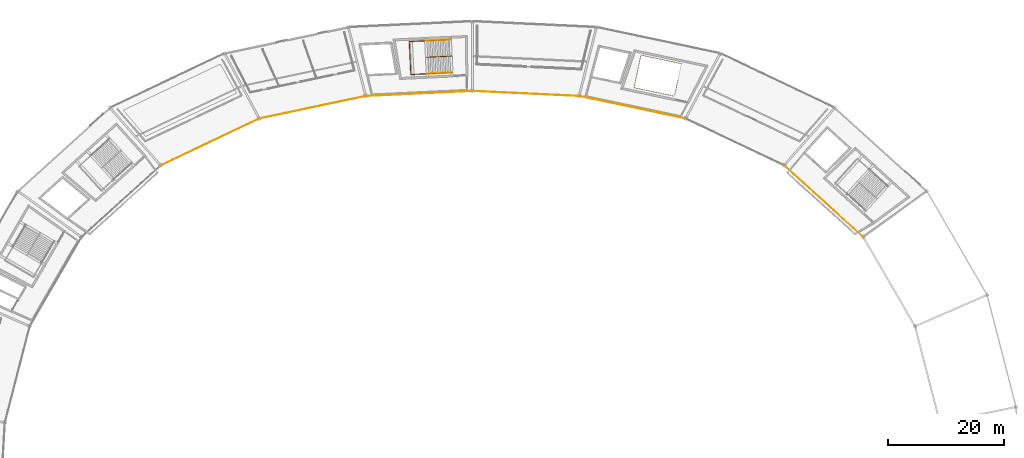
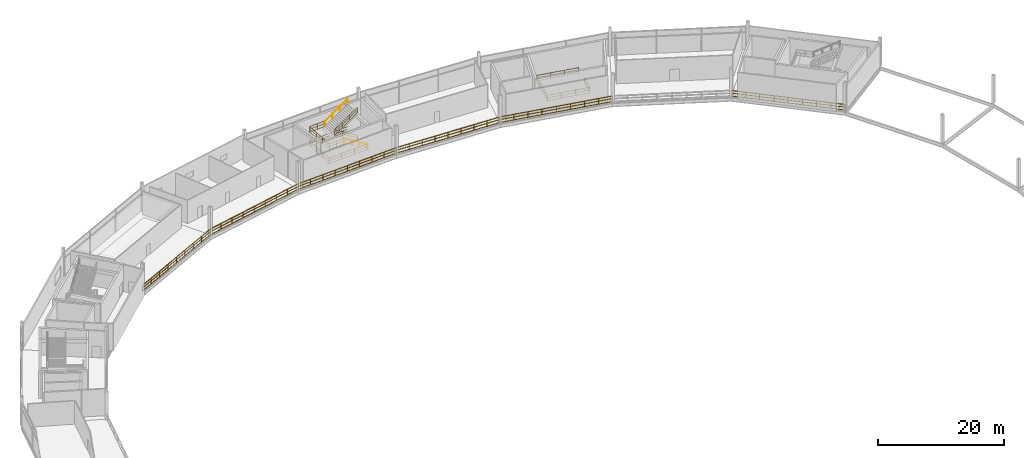
# One storey, part 102 of 103: 12 railings.
"""IFC4 building model written with IfcOpenShell, lengths in metres."""

from ifc_helpers import new_model, si_unit, direction, frame, origin, origin_2d, place, context, subcontext, project, spatial, rectangle, extrude, material, type_object, element, save


model = new_model("IFC4")

# Units and contexts
model_context = context("Model", 3, precision=1e-05, world=origin(), true_north=direction((0.0, 1.0)))
body_context = subcontext(model_context, "Body", "Model", "MODEL_VIEW")
ifc_project = project(units=[si_unit("LENGTHUNIT", "METRE"), si_unit("AREAUNIT", "SQUARE_METRE"), si_unit("VOLUMEUNIT", "CUBIC_METRE"), si_unit("PLANEANGLEUNIT", "RADIAN"), si_unit("MASSUNIT", "GRAM", prefix="KILO")], contexts=[model_context])

# Site, building, storey
site_placement = place(None, origin())
site = spatial("IfcSite", under=ifc_project, at=site_placement, CompositionType="ELEMENT")
building_placement = place(site_placement, origin())
building = spatial("IfcBuilding", under=site, at=building_placement, Name="Kazemori Nagisa Stadium", CompositionType="ELEMENT")
storey_placement = place(building_placement, frame((0.0, 0.0, 25.840087890625)))
storey = spatial("IfcBuildingStorey", under=building, at=storey_placement, Name="L05", CompositionType="ELEMENT", Elevation=25.840087890625)

# Railings
ifc_material_1 = material(Name="Laminated safety glass and stainless steel SUS304", Category="steel")
railing_type_1 = type_object("IfcRailingType", Name="Rail_BAL", PredefinedType="BALUSTRADE", material=ifc_material_1)
railing_1_placement = place(storey_placement, frame((190.506103515625, 150.734130859375, 0.0)))
element("IfcRailing", 1, at=railing_1_placement, inside=storey, type_object=railing_type_1, Name="Upper concourse balustrade L05-B04", PredefinedType="BALUSTRADE", context=body_context, shape_type="SweptSolid", body=[
    extrude(rectangle(XDim=0.050048828125, YDim=0.050048828125, at=origin_2d()), frame((0.0, 0.0, 1.09521484375), z_axis=(-0.741349142139, 0.671119549298, 0.0), x_axis=(-0.671119549298, -0.741349142139, 0.0)), (0.0, 0.0, 1.0), 18.44189453125),
    extrude(rectangle(XDim=0.03759765625, YDim=0.03759765625, at=origin_2d()), frame((0.0, 0.0, 0.58251953125), z_axis=(-0.741349142139, 0.671119549298, 0.0), x_axis=(-0.671119549298, -0.741349142139, 0.0)), (0.0, 0.0, 1.0), 18.44189453125),
    extrude(rectangle(XDim=0.03759765625, YDim=0.03759765625, at=origin_2d()), frame((0.0, 0.0, 0.02490234375), z_axis=(-0.741349142139, 0.671119549298, 0.0), x_axis=(-0.671119549298, -0.741349142139, 0.0)), (0.0, 0.0, 1.0), 18.44189453125),
    extrude(rectangle(XDim=0.044921875, YDim=0.044921875, at=origin_2d()), origin(), (0.0, 0.0, 1.0), 1.070068359375),
    extrude(rectangle(XDim=0.044921875, YDim=0.044921875, at=origin_2d()), frame((-1.708984375, 1.547119140625, 0.0)), (0.0, 0.0, 1.0), 1.070068359375),
    extrude(rectangle(XDim=0.044921875, YDim=0.044921875, at=origin_2d()), frame((-3.41796875, 3.09423828125, 0.0)), (0.0, 0.0, 1.0), 1.070068359375),
    extrude(rectangle(XDim=0.044921875, YDim=0.044921875, at=origin_2d()), frame((-5.126953125, 4.641357421875, 0.0)), (0.0, 0.0, 1.0), 1.070068359375),
    extrude(rectangle(XDim=0.044921875, YDim=0.044921875, at=origin_2d()), frame((-6.8359375, 6.1884765625, 0.0)), (0.0, 0.0, 1.0), 1.070068359375),
    extrude(rectangle(XDim=0.044921875, YDim=0.044921875, at=origin_2d()), frame((-8.544921875, 7.7353515625, 0.0)), (0.0, 0.0, 1.0), 1.070068359375),
    extrude(rectangle(XDim=0.044921875, YDim=0.044921875, at=origin_2d()), frame((-10.25390625, 9.282470703125, 0.0)), (0.0, 0.0, 1.0), 1.070068359375),
    extrude(rectangle(XDim=0.044921875, YDim=0.044921875, at=origin_2d()), frame((-11.962890625, 10.82958984375, 0.0)), (0.0, 0.0, 1.0), 1.070068359375),
    extrude(rectangle(XDim=0.044921875, YDim=0.044921875, at=origin_2d()), frame((-13.671875, 12.376708984375, 0.0)), (0.0, 0.0, 1.0), 1.070068359375),
])
railing_2_placement = place(storey_placement, frame((159.81201171875, 171.19921875, 0.0)))
element("IfcRailing", 2, at=railing_2_placement, inside=storey, type_object=railing_type_1, Name="Upper concourse balustrade L05-B06", PredefinedType="BALUSTRADE", context=body_context, shape_type="SweptSolid", body=[
    extrude(rectangle(XDim=0.050048828125, YDim=0.050048828125, at=origin_2d()), frame((0.0, 0.0, 1.09521484375), z_axis=(-0.978345149833, 0.206980114499, 0.0), x_axis=(-0.206980114499, -0.978345149833, 0.0)), (0.0, 0.0, 1.0), 18.791259765625),
    extrude(rectangle(XDim=0.03759765625, YDim=0.03759765625, at=origin_2d()), frame((0.0, 0.0, 0.58251953125), z_axis=(-0.978345149833, 0.206980114499, 0.0), x_axis=(-0.206980114499, -0.978345149833, 0.0)), (0.0, 0.0, 1.0), 18.791259765625),
    extrude(rectangle(XDim=0.03759765625, YDim=0.03759765625, at=origin_2d()), frame((0.0, 0.0, 0.02490234375), z_axis=(-0.978345149833, 0.206980114499, 0.0), x_axis=(-0.206980114499, -0.978345149833, 0.0)), (0.0, 0.0, 1.0), 18.791259765625),
    extrude(rectangle(XDim=0.044921875, YDim=0.044921875, at=origin_2d()), origin(), (0.0, 0.0, 1.0), 1.070068359375),
    extrude(rectangle(XDim=0.044921875, YDim=0.044921875, at=origin_2d()), frame((-2.298095703125, 0.486083984375, 0.0)), (0.0, 0.0, 1.0), 1.070068359375),
    extrude(rectangle(XDim=0.044921875, YDim=0.044921875, at=origin_2d()), frame((-4.59619140625, 0.972412109375, 0.0)), (0.0, 0.0, 1.0), 1.070068359375),
    extrude(rectangle(XDim=0.044921875, YDim=0.044921875, at=origin_2d()), frame((-6.89404296875, 1.45849609375, 0.0)), (0.0, 0.0, 1.0), 1.070068359375),
    extrude(rectangle(XDim=0.044921875, YDim=0.044921875, at=origin_2d()), frame((-9.192138671875, 1.94482421875, 0.0)), (0.0, 0.0, 1.0), 1.070068359375),
    extrude(rectangle(XDim=0.044921875, YDim=0.044921875, at=origin_2d()), frame((-11.490234375, 2.430908203125, 0.0)), (0.0, 0.0, 1.0), 1.070068359375),
    extrude(rectangle(XDim=0.044921875, YDim=0.044921875, at=origin_2d()), frame((-13.7880859375, 2.9169921875, 0.0)), (0.0, 0.0, 1.0), 1.070068359375),
    extrude(rectangle(XDim=0.044921875, YDim=0.044921875, at=origin_2d()), frame((-16.086181640625, 3.4033203125, 0.0)), (0.0, 0.0, 1.0), 1.070068359375),
    extrude(rectangle(XDim=0.044921875, YDim=0.044921875, at=origin_2d()), frame((-18.38427734375, 3.889404296875, 0.0)), (0.0, 0.0, 1.0), 1.070068359375),
])
railing_3_placement = place(storey_placement, frame((141.427734375, 175.088623046875, 0.0)))
element("IfcRailing", 3, at=railing_3_placement, inside=storey, type_object=railing_type_1, Name="Upper concourse balustrade L05-B07", PredefinedType="BALUSTRADE", context=body_context, shape_type="SweptSolid", body=[
    extrude(rectangle(XDim=0.050048828125, YDim=0.050048828125, at=origin_2d()), frame((0.0, 0.0, 1.09521484375), z_axis=(-0.9988839804, 0.047231278829, 0.0), x_axis=(-0.047231278829, -0.9988839804, 0.0)), (0.0, 0.0, 1.0), 18.4482421875),
    extrude(rectangle(XDim=0.03759765625, YDim=0.03759765625, at=origin_2d()), frame((0.0, 0.0, 0.58251953125), z_axis=(-0.9988839804, 0.047231278829, 0.0), x_axis=(-0.047231278829, -0.9988839804, 0.0)), (0.0, 0.0, 1.0), 18.4482421875),
    extrude(rectangle(XDim=0.03759765625, YDim=0.03759765625, at=origin_2d()), frame((0.0, 0.0, 0.02490234375), z_axis=(-0.9988839804, 0.047231278829, 0.0), x_axis=(-0.047231278829, -0.9988839804, 0.0)), (0.0, 0.0, 1.0), 18.4482421875),
    extrude(rectangle(XDim=0.044921875, YDim=0.044921875, at=origin_2d()), origin(), (0.0, 0.0, 1.0), 1.070068359375),
    extrude(rectangle(XDim=0.044921875, YDim=0.044921875, at=origin_2d()), frame((-2.303466796875, 0.10888671875, 0.0)), (0.0, 0.0, 1.0), 1.070068359375),
    extrude(rectangle(XDim=0.044921875, YDim=0.044921875, at=origin_2d()), frame((-4.60693359375, 0.2177734375, 0.0)), (0.0, 0.0, 1.0), 1.070068359375),
    extrude(rectangle(XDim=0.044921875, YDim=0.044921875, at=origin_2d()), frame((-6.910400390625, 0.32666015625, 0.0)), (0.0, 0.0, 1.0), 1.070068359375),
    extrude(rectangle(XDim=0.044921875, YDim=0.044921875, at=origin_2d()), frame((-9.2138671875, 0.435546875, 0.0)), (0.0, 0.0, 1.0), 1.070068359375),
    extrude(rectangle(XDim=0.044921875, YDim=0.044921875, at=origin_2d()), frame((-11.517333984375, 0.544677734375, 0.0)), (0.0, 0.0, 1.0), 1.070068359375),
    extrude(rectangle(XDim=0.044921875, YDim=0.044921875, at=origin_2d()), frame((-13.82080078125, 0.653564453125, 0.0)), (0.0, 0.0, 1.0), 1.070068359375),
    extrude(rectangle(XDim=0.044921875, YDim=0.044921875, at=origin_2d()), frame((-16.124267578125, 0.762451171875, 0.0)), (0.0, 0.0, 1.0), 1.070068359375),
    extrude(rectangle(XDim=0.044921875, YDim=0.044921875, at=origin_2d()), frame((-18.427734375, 0.871337890625, 0.0)), (0.0, 0.0, 1.0), 1.070068359375),
])
railing_4_placement = place(storey_placement, frame((123.0, 175.9599609375, 0.0)))
element("IfcRailing", 4, at=railing_4_placement, inside=storey, type_object=railing_type_1, Name="Upper concourse balustrade L05-B08", PredefinedType="BALUSTRADE", context=body_context, shape_type="SweptSolid", body=[
    extrude(rectangle(XDim=0.050048828125, YDim=0.050048828125, at=origin_2d()), frame((0.0, 0.0, 1.09521484375), z_axis=(-0.9988839804, -0.047231278829, 0.0), x_axis=(0.047231278829, -0.9988839804, 0.0)), (0.0, 0.0, 1.0), 18.4482421875),
    extrude(rectangle(XDim=0.03759765625, YDim=0.03759765625, at=origin_2d()), frame((0.0, 0.0, 0.58251953125), z_axis=(-0.9988839804, -0.047231278829, 0.0), x_axis=(0.047231278829, -0.9988839804, 0.0)), (0.0, 0.0, 1.0), 18.4482421875),
    extrude(rectangle(XDim=0.03759765625, YDim=0.03759765625, at=origin_2d()), frame((0.0, 0.0, 0.02490234375), z_axis=(-0.9988839804, -0.047231278829, 0.0), x_axis=(0.047231278829, -0.9988839804, 0.0)), (0.0, 0.0, 1.0), 18.4482421875),
    extrude(rectangle(XDim=0.044921875, YDim=0.044921875, at=origin_2d()), origin(), (0.0, 0.0, 1.0), 1.070068359375),
    extrude(rectangle(XDim=0.044921875, YDim=0.044921875, at=origin_2d()), frame((-2.303466796875, -0.10888671875, 0.0)), (0.0, 0.0, 1.0), 1.070068359375),
    extrude(rectangle(XDim=0.044921875, YDim=0.044921875, at=origin_2d()), frame((-4.60693359375, -0.2177734375, 0.0)), (0.0, 0.0, 1.0), 1.070068359375),
    extrude(rectangle(XDim=0.044921875, YDim=0.044921875, at=origin_2d()), frame((-6.910400390625, -0.32666015625, 0.0)), (0.0, 0.0, 1.0), 1.070068359375),
    extrude(rectangle(XDim=0.044921875, YDim=0.044921875, at=origin_2d()), frame((-9.2138671875, -0.435546875, 0.0)), (0.0, 0.0, 1.0), 1.070068359375),
    extrude(rectangle(XDim=0.044921875, YDim=0.044921875, at=origin_2d()), frame((-11.517333984375, -0.544677734375, 0.0)), (0.0, 0.0, 1.0), 1.070068359375),
    extrude(rectangle(XDim=0.044921875, YDim=0.044921875, at=origin_2d()), frame((-13.82080078125, -0.653564453125, 0.0)), (0.0, 0.0, 1.0), 1.070068359375),
    extrude(rectangle(XDim=0.044921875, YDim=0.044921875, at=origin_2d()), frame((-16.124267578125, -0.762451171875, 0.0)), (0.0, 0.0, 1.0), 1.070068359375),
    extrude(rectangle(XDim=0.044921875, YDim=0.044921875, at=origin_2d()), frame((-18.427734375, -0.871337890625, 0.0)), (0.0, 0.0, 1.0), 1.070068359375),
])
railing_5_placement = place(storey_placement, frame((104.572265625, 175.088623046875, 0.0)))
element("IfcRailing", 5, at=railing_5_placement, inside=storey, type_object=railing_type_1, Name="Upper concourse balustrade L05-B09", PredefinedType="BALUSTRADE", context=body_context, shape_type="SweptSolid", body=[
    extrude(rectangle(XDim=0.050048828125, YDim=0.050048828125, at=origin_2d()), frame((0.0, 0.0, 1.09521484375), z_axis=(-0.978345149833, -0.206980114499, 0.0), x_axis=(0.206980114499, -0.978345149833, 0.0)), (0.0, 0.0, 1.0), 18.791259765625),
    extrude(rectangle(XDim=0.03759765625, YDim=0.03759765625, at=origin_2d()), frame((0.0, 0.0, 0.58251953125), z_axis=(-0.978345149833, -0.206980114499, 0.0), x_axis=(0.206980114499, -0.978345149833, 0.0)), (0.0, 0.0, 1.0), 18.791259765625),
    extrude(rectangle(XDim=0.03759765625, YDim=0.03759765625, at=origin_2d()), frame((0.0, 0.0, 0.02490234375), z_axis=(-0.978345149833, -0.206980114499, 0.0), x_axis=(0.206980114499, -0.978345149833, 0.0)), (0.0, 0.0, 1.0), 18.791259765625),
    extrude(rectangle(XDim=0.044921875, YDim=0.044921875, at=origin_2d()), origin(), (0.0, 0.0, 1.0), 1.070068359375),
    extrude(rectangle(XDim=0.044921875, YDim=0.044921875, at=origin_2d()), frame((-2.298095703125, -0.486083984375, 0.0)), (0.0, 0.0, 1.0), 1.070068359375),
    extrude(rectangle(XDim=0.044921875, YDim=0.044921875, at=origin_2d()), frame((-4.59619140625, -0.972412109375, 0.0)), (0.0, 0.0, 1.0), 1.070068359375),
    extrude(rectangle(XDim=0.044921875, YDim=0.044921875, at=origin_2d()), frame((-6.89404296875, -1.45849609375, 0.0)), (0.0, 0.0, 1.0), 1.070068359375),
    extrude(rectangle(XDim=0.044921875, YDim=0.044921875, at=origin_2d()), frame((-9.192138671875, -1.94482421875, 0.0)), (0.0, 0.0, 1.0), 1.070068359375),
    extrude(rectangle(XDim=0.044921875, YDim=0.044921875, at=origin_2d()), frame((-11.490234375, -2.430908203125, 0.0)), (0.0, 0.0, 1.0), 1.070068359375),
    extrude(rectangle(XDim=0.044921875, YDim=0.044921875, at=origin_2d()), frame((-13.7880859375, -2.9169921875, 0.0)), (0.0, 0.0, 1.0), 1.070068359375),
    extrude(rectangle(XDim=0.044921875, YDim=0.044921875, at=origin_2d()), frame((-16.086181640625, -3.4033203125, 0.0)), (0.0, 0.0, 1.0), 1.070068359375),
    extrude(rectangle(XDim=0.044921875, YDim=0.044921875, at=origin_2d()), frame((-18.38427734375, -3.889404296875, 0.0)), (0.0, 0.0, 1.0), 1.070068359375),
])
railing_6_placement = place(storey_placement, frame((86.18798828125, 171.19921875, 0.0)))
element("IfcRailing", 6, at=railing_6_placement, inside=storey, type_object=railing_type_1, Name="Upper concourse balustrade L05-B10", PredefinedType="BALUSTRADE", context=body_context, shape_type="SweptSolid", body=[
    extrude(rectangle(XDim=0.050048828125, YDim=0.050048828125, at=origin_2d()), frame((0.0, 0.0, 1.09521484375), z_axis=(-0.90321938295, -0.42917915404, 0.0), x_axis=(0.42917915404, -0.90321938295, 0.0)), (0.0, 0.0, 1.0), 18.84619140625),
    extrude(rectangle(XDim=0.03759765625, YDim=0.03759765625, at=origin_2d()), frame((0.0, 0.0, 0.58251953125), z_axis=(-0.90321938295, -0.42917915404, 0.0), x_axis=(0.42917915404, -0.90321938295, 0.0)), (0.0, 0.0, 1.0), 18.84619140625),
    extrude(rectangle(XDim=0.03759765625, YDim=0.03759765625, at=origin_2d()), frame((0.0, 0.0, 0.02490234375), z_axis=(-0.90321938295, -0.42917915404, 0.0), x_axis=(0.42917915404, -0.90321938295, 0.0)), (0.0, 0.0, 1.0), 18.84619140625),
    extrude(rectangle(XDim=0.044921875, YDim=0.044921875, at=origin_2d()), origin(), (0.0, 0.0, 1.0), 1.070068359375),
    extrude(rectangle(XDim=0.044921875, YDim=0.044921875, at=origin_2d()), frame((-2.127685546875, -1.010986328125, 0.0)), (0.0, 0.0, 1.0), 1.070068359375),
    extrude(rectangle(XDim=0.044921875, YDim=0.044921875, at=origin_2d()), frame((-4.255615234375, -2.02197265625, 0.0)), (0.0, 0.0, 1.0), 1.070068359375),
    extrude(rectangle(XDim=0.044921875, YDim=0.044921875, at=origin_2d()), frame((-6.38330078125, -3.033203125, 0.0)), (0.0, 0.0, 1.0), 1.070068359375),
    extrude(rectangle(XDim=0.044921875, YDim=0.044921875, at=origin_2d()), frame((-8.51123046875, -4.044189453125, 0.0)), (0.0, 0.0, 1.0), 1.070068359375),
    extrude(rectangle(XDim=0.044921875, YDim=0.044921875, at=origin_2d()), frame((-10.638916015625, -5.05517578125, 0.0)), (0.0, 0.0, 1.0), 1.070068359375),
    extrude(rectangle(XDim=0.044921875, YDim=0.044921875, at=origin_2d()), frame((-12.7666015625, -6.06640625, 0.0)), (0.0, 0.0, 1.0), 1.070068359375),
    extrude(rectangle(XDim=0.044921875, YDim=0.044921875, at=origin_2d()), frame((-14.89453125, -7.077392578125, 0.0)), (0.0, 0.0, 1.0), 1.070068359375),
    extrude(rectangle(XDim=0.044921875, YDim=0.044921875, at=origin_2d()), frame((-17.022216796875, -8.08837890625, 0.0)), (0.0, 0.0, 1.0), 1.070068359375),
])
ifc_material_2 = material(Name="Galvanised powder-coated steel", Category="steel")
railing_type_2 = type_object("IfcRailingType", Name="Rail_GUARD", PredefinedType="GUARDRAIL", material=ifc_material_2)
railing_7_placement = place(storey_placement, frame((158.46875, 177.874755859375, 0.0)))
element("IfcRailing", 7, at=railing_7_placement, inside=storey, type_object=railing_type_2, Name="Stair well perimeter guard ST11-L05", PredefinedType="GUARDRAIL", context=body_context, shape_type="SweptSolid", body=[
    extrude(rectangle(XDim=0.050048828125, YDim=0.050048828125, at=origin_2d()), frame((0.0, 0.0, 1.09521484375), z_axis=(-0.206960167837, -0.978349369565, 0.0), x_axis=(0.978349369565, -0.206960167837, 0.0)), (0.0, 0.0, 1.0), 2.85009765625),
    extrude(rectangle(XDim=0.03759765625, YDim=0.03759765625, at=origin_2d()), frame((0.0, 0.0, 0.58251953125), z_axis=(-0.206960167837, -0.978349369565, 0.0), x_axis=(0.978349369565, -0.206960167837, 0.0)), (0.0, 0.0, 1.0), 2.85009765625),
    extrude(rectangle(XDim=0.03759765625, YDim=0.03759765625, at=origin_2d()), frame((0.0, 0.0, 0.02490234375), z_axis=(-0.206960167837, -0.978349369565, 0.0), x_axis=(0.978349369565, -0.206960167837, 0.0)), (0.0, 0.0, 1.0), 2.85009765625),
    extrude(rectangle(XDim=0.050048828125, YDim=0.050048828125, at=origin_2d()), frame((-0.58984375, -2.788330078125, 1.09521484375), z_axis=(-0.978345951351, 0.206976325879, 0.0), x_axis=(-0.206976325879, -0.978345951351, 0.0)), (0.0, 0.0, 1.0), 7.094970703125),
    extrude(rectangle(XDim=0.03759765625, YDim=0.03759765625, at=origin_2d()), frame((-0.58984375, -2.788330078125, 0.58251953125), z_axis=(-0.978345951351, 0.206976325879, 0.0), x_axis=(-0.206976325879, -0.978345951351, 0.0)), (0.0, 0.0, 1.0), 7.094970703125),
    extrude(rectangle(XDim=0.03759765625, YDim=0.03759765625, at=origin_2d()), frame((-0.58984375, -2.788330078125, 0.02490234375), z_axis=(-0.978345951351, 0.206976325879, 0.0), x_axis=(-0.206976325879, -0.978345951351, 0.0)), (0.0, 0.0, 1.0), 7.094970703125),
    extrude(rectangle(XDim=0.050048828125, YDim=0.050048828125, at=origin_2d()), frame((-7.53125, -1.31982421875, 1.09521484375), z_axis=(0.206960167837, 0.978349369565, 0.0), x_axis=(-0.978349369565, 0.206960167837, 0.0)), (0.0, 0.0, 1.0), 5.699951171875),
    extrude(rectangle(XDim=0.03759765625, YDim=0.03759765625, at=origin_2d()), frame((-7.53125, -1.31982421875, 0.58251953125), z_axis=(0.206960167837, 0.978349369565, 0.0), x_axis=(-0.978349369565, 0.206960167837, 0.0)), (0.0, 0.0, 1.0), 5.699951171875),
    extrude(rectangle(XDim=0.03759765625, YDim=0.03759765625, at=origin_2d()), frame((-7.53125, -1.31982421875, 0.02490234375), z_axis=(0.206960167837, 0.978349369565, 0.0), x_axis=(-0.978349369565, 0.206960167837, 0.0)), (0.0, 0.0, 1.0), 5.699951171875),
    extrude(rectangle(XDim=0.050048828125, YDim=0.050048828125, at=origin_2d()), frame((-6.3515625, 4.2568359375, 1.09521484375), z_axis=(0.978345951351, -0.206976325879, 0.0), x_axis=(0.206976325879, 0.978345951351, 0.0)), (0.0, 0.0, 1.0), 7.094970703125),
    extrude(rectangle(XDim=0.03759765625, YDim=0.03759765625, at=origin_2d()), frame((-6.3515625, 4.2568359375, 0.58251953125), z_axis=(0.978345951351, -0.206976325879, 0.0), x_axis=(0.206976325879, 0.978345951351, 0.0)), (0.0, 0.0, 1.0), 7.094970703125),
    extrude(rectangle(XDim=0.03759765625, YDim=0.03759765625, at=origin_2d()), frame((-6.3515625, 4.2568359375, 0.02490234375), z_axis=(0.978345951351, -0.206976325879, 0.0), x_axis=(0.206976325879, 0.978345951351, 0.0)), (0.0, 0.0, 1.0), 7.094970703125),
    extrude(rectangle(XDim=0.044921875, YDim=0.044921875, at=origin_2d()), origin(), (0.0, 0.0, 1.0), 1.070068359375),
    extrude(rectangle(XDim=0.044921875, YDim=0.044921875, at=origin_2d()), frame((-0.294921875, -1.39404296875, 0.0)), (0.0, 0.0, 1.0), 1.070068359375),
    extrude(rectangle(XDim=0.044921875, YDim=0.044921875, at=origin_2d()), frame((-0.58984375, -2.788330078125, 0.0)), (0.0, 0.0, 1.0), 1.070068359375),
    extrude(rectangle(XDim=0.044921875, YDim=0.044921875, at=origin_2d()), frame((-2.903564453125, -2.298828125, 0.0)), (0.0, 0.0, 1.0), 1.070068359375),
    extrude(rectangle(XDim=0.044921875, YDim=0.044921875, at=origin_2d()), frame((-5.217529296875, -1.809326171875, 0.0)), (0.0, 0.0, 1.0), 1.070068359375),
    extrude(rectangle(XDim=0.044921875, YDim=0.044921875, at=origin_2d()), frame((-7.53125, -1.31982421875, 0.0)), (0.0, 0.0, 1.0), 1.070068359375),
    extrude(rectangle(XDim=0.044921875, YDim=0.044921875, at=origin_2d()), frame((-7.137939453125, 0.5390625, 0.0)), (0.0, 0.0, 1.0), 1.070068359375),
    extrude(rectangle(XDim=0.044921875, YDim=0.044921875, at=origin_2d()), frame((-6.744873046875, 2.39794921875, 0.0)), (0.0, 0.0, 1.0), 1.070068359375),
    extrude(rectangle(XDim=0.044921875, YDim=0.044921875, at=origin_2d()), frame((-6.3515625, 4.2568359375, 0.0)), (0.0, 0.0, 1.0), 1.070068359375),
    extrude(rectangle(XDim=0.044921875, YDim=0.044921875, at=origin_2d()), frame((-4.037841796875, 3.767333984375, 0.0)), (0.0, 0.0, 1.0), 1.070068359375),
    extrude(rectangle(XDim=0.044921875, YDim=0.044921875, at=origin_2d()), frame((-1.723876953125, 3.27783203125, 0.0)), (0.0, 0.0, 1.0), 1.070068359375),
    extrude(rectangle(XDim=0.044921875, YDim=0.044921875, at=origin_2d()), frame((0.58984375, 2.788330078125, 0.0)), (0.0, 0.0, 1.0), 1.070068359375),
])
railing_8_placement = place(storey_placement, frame((119.452392578125, 179.138427734375, 0.0)))
element("IfcRailing", 8, at=railing_8_placement, inside=storey, type_object=railing_type_2, Name="Stair well perimeter guard ST05-L05", PredefinedType="GUARDRAIL", context=body_context, shape_type="SweptSolid", body=[
    extrude(rectangle(XDim=0.050048828125, YDim=0.050048828125, at=origin_2d()), frame((0.0, 0.0, 1.09521484375), z_axis=(-0.998884968272, -0.04721038191, 0.0), x_axis=(0.04721038191, -0.998884968272, 0.0)), (0.0, 0.0, 1.0), 7.094970703125),
    extrude(rectangle(XDim=0.03759765625, YDim=0.03759765625, at=origin_2d()), frame((0.0, 0.0, 0.58251953125), z_axis=(-0.998884968272, -0.04721038191, 0.0), x_axis=(0.04721038191, -0.998884968272, 0.0)), (0.0, 0.0, 1.0), 7.094970703125),
    extrude(rectangle(XDim=0.03759765625, YDim=0.03759765625, at=origin_2d()), frame((0.0, 0.0, 0.02490234375), z_axis=(-0.998884968272, -0.04721038191, 0.0), x_axis=(0.04721038191, -0.998884968272, 0.0)), (0.0, 0.0, 1.0), 7.094970703125),
    extrude(rectangle(XDim=0.050048828125, YDim=0.050048828125, at=origin_2d()), frame((-7.087158203125, -0.3349609375, 1.09521484375), z_axis=(-0.047200880317, 0.998885417301, 0.0), x_axis=(-0.998885417301, -0.047200880317, 0.0)), (0.0, 0.0, 1.0), 5.699951171875),
    extrude(rectangle(XDim=0.03759765625, YDim=0.03759765625, at=origin_2d()), frame((-7.087158203125, -0.3349609375, 0.58251953125), z_axis=(-0.047200880317, 0.998885417301, 0.0), x_axis=(-0.998885417301, -0.047200880317, 0.0)), (0.0, 0.0, 1.0), 5.699951171875),
    extrude(rectangle(XDim=0.03759765625, YDim=0.03759765625, at=origin_2d()), frame((-7.087158203125, -0.3349609375, 0.02490234375), z_axis=(-0.047200880317, 0.998885417301, 0.0), x_axis=(-0.998885417301, -0.047200880317, 0.0)), (0.0, 0.0, 1.0), 5.699951171875),
    extrude(rectangle(XDim=0.050048828125, YDim=0.050048828125, at=origin_2d()), frame((-7.356201171875, 5.358642578125, 1.09521484375), z_axis=(0.998883268183, 0.047246338956, 0.0), x_axis=(-0.047246338956, 0.998883268183, 0.0)), (0.0, 0.0, 1.0), 7.0947265625),
    extrude(rectangle(XDim=0.03759765625, YDim=0.03759765625, at=origin_2d()), frame((-7.356201171875, 5.358642578125, 0.58251953125), z_axis=(0.998883268183, 0.047246338956, 0.0), x_axis=(-0.047246338956, 0.998883268183, 0.0)), (0.0, 0.0, 1.0), 7.0947265625),
    extrude(rectangle(XDim=0.03759765625, YDim=0.03759765625, at=origin_2d()), frame((-7.356201171875, 5.358642578125, 0.02490234375), z_axis=(0.998883268183, 0.047246338956, 0.0), x_axis=(-0.047246338956, 0.998883268183, 0.0)), (0.0, 0.0, 1.0), 7.0947265625),
    extrude(rectangle(XDim=0.044921875, YDim=0.044921875, at=origin_2d()), origin(), (0.0, 0.0, 1.0), 1.070068359375),
    extrude(rectangle(XDim=0.044921875, YDim=0.044921875, at=origin_2d()), frame((-2.3623046875, -0.111572265625, 0.0)), (0.0, 0.0, 1.0), 1.070068359375),
    extrude(rectangle(XDim=0.044921875, YDim=0.044921875, at=origin_2d()), frame((-4.724853515625, -0.223388671875, 0.0)), (0.0, 0.0, 1.0), 1.070068359375),
    extrude(rectangle(XDim=0.044921875, YDim=0.044921875, at=origin_2d()), frame((-7.087158203125, -0.3349609375, 0.0)), (0.0, 0.0, 1.0), 1.070068359375),
    extrude(rectangle(XDim=0.044921875, YDim=0.044921875, at=origin_2d()), frame((-7.1767578125, 1.56298828125, 0.0)), (0.0, 0.0, 1.0), 1.070068359375),
    extrude(rectangle(XDim=0.044921875, YDim=0.044921875, at=origin_2d()), frame((-7.2666015625, 3.460693359375, 0.0)), (0.0, 0.0, 1.0), 1.070068359375),
    extrude(rectangle(XDim=0.044921875, YDim=0.044921875, at=origin_2d()), frame((-7.356201171875, 5.358642578125, 0.0)), (0.0, 0.0, 1.0), 1.070068359375),
    extrude(rectangle(XDim=0.044921875, YDim=0.044921875, at=origin_2d()), frame((-4.993896484375, 5.470458984375, 0.0)), (0.0, 0.0, 1.0), 1.070068359375),
    extrude(rectangle(XDim=0.044921875, YDim=0.044921875, at=origin_2d()), frame((-2.631591796875, 5.58203125, 0.0)), (0.0, 0.0, 1.0), 1.070068359375),
    extrude(rectangle(XDim=0.044921875, YDim=0.044921875, at=origin_2d()), frame((-0.269287109375, 5.69384765625, 0.0)), (0.0, 0.0, 1.0), 1.070068359375),
])
railing_9_placement = place(storey_placement, frame((119.397705078125, 181.9892578125, 0.0)))
element("IfcRailing", 9, at=railing_9_placement, inside=storey, type_object=railing_type_2, Name="Stair central guard ST05-L05", PredefinedType="GUARDRAIL", context=body_context, shape_type="SweptSolid", body=[
    extrude(rectangle(XDim=0.050048828125, YDim=0.050048828125, at=origin_2d()), frame((0.0, 0.0, 1.09521484375), z_axis=(-0.845562090181, -0.039996353178, 0.532376787042), x_axis=(0.047248669297, -0.998883157957, 0.0)), (0.0, 0.0, 1.0), 5.109130859375),
    extrude(rectangle(XDim=0.03759765625, YDim=0.03759765625, at=origin_2d()), frame((0.0, 0.0, 0.58251953125), z_axis=(-0.845562090181, -0.039996353178, 0.532376787042), x_axis=(0.047248669297, -0.998883157957, 0.0)), (0.0, 0.0, 1.0), 5.109130859375),
    extrude(rectangle(XDim=0.03759765625, YDim=0.03759765625, at=origin_2d()), frame((0.0, 0.0, 0.02490234375), z_axis=(-0.845562090181, -0.039996353178, 0.532376787042), x_axis=(0.047248669297, -0.998883157957, 0.0)), (0.0, 0.0, 1.0), 5.109130859375),
    extrude(rectangle(XDim=0.050048828125, YDim=0.050048828125, at=origin_2d()), frame((-4.320068359375, -0.204345703125, 3.81494140625), z_axis=(0.841044817984, 0.039756897488, 0.539502551656), x_axis=(-0.047218117157, 0.99888460265, 0.0)), (0.0, 0.0, 1.0), 5.041748046875),
    extrude(rectangle(XDim=0.03759765625, YDim=0.03759765625, at=origin_2d()), frame((-4.320068359375, -0.204345703125, 3.302490234375), z_axis=(0.841044817984, 0.039756897488, 0.539502551656), x_axis=(-0.047218117157, 0.99888460265, 0.0)), (0.0, 0.0, 1.0), 5.041748046875),
    extrude(rectangle(XDim=0.03759765625, YDim=0.03759765625, at=origin_2d()), frame((-4.320068359375, -0.204345703125, 2.7451171875), z_axis=(0.841044817984, 0.039756897488, 0.539502551656), x_axis=(-0.047218117157, 0.99888460265, 0.0)), (0.0, 0.0, 1.0), 5.041748046875),
    extrude(rectangle(XDim=0.044921875, YDim=0.044921875, at=origin_2d()), origin(), (0.0, 0.0, 1.0), 1.070068359375),
    extrude(rectangle(XDim=0.044921875, YDim=0.044921875, at=origin_2d()), frame((-1.43994140625, -0.068115234375, 0.90673828125)), (0.0, 0.0, 1.0), 1.070068359375),
    extrude(rectangle(XDim=0.044921875, YDim=0.044921875, at=origin_2d()), frame((-2.880126953125, -0.13623046875, 1.813232421875)), (0.0, 0.0, 1.0), 1.070068359375),
    extrude(rectangle(XDim=0.044921875, YDim=0.044921875, at=origin_2d()), frame((-4.320068359375, -0.204345703125, 2.719970703125)), (0.0, 0.0, 1.0), 1.070068359375),
    extrude(rectangle(XDim=0.044921875, YDim=0.044921875, at=origin_2d()), frame((-2.90673828125, -0.137451171875, 3.626708984375)), (0.0, 0.0, 1.0), 1.070068359375),
    extrude(rectangle(XDim=0.044921875, YDim=0.044921875, at=origin_2d()), frame((-1.4931640625, -0.07080078125, 4.533203125)), (0.0, 0.0, 1.0), 1.070068359375),
    extrude(rectangle(XDim=0.044921875, YDim=0.044921875, at=origin_2d()), frame((-0.079833984375, -0.00390625, 5.43994140625)), (0.0, 0.0, 1.0), 1.070068359375),
])
railing_10_placement = place(storey_placement, frame((115.212158203125, 178.93798828125, 2.719970703125)))
element("IfcRailing", 10, at=railing_10_placement, inside=storey, type_object=railing_type_2, Name="Stair landing guard ST05-L05", PredefinedType="GUARDRAIL", context=body_context, shape_type="SweptSolid", body=[
    extrude(rectangle(XDim=0.050048828125, YDim=0.050048828125, at=origin_2d()), frame((0.0, 0.0, 1.09521484375), z_axis=(-0.998885512722, -0.047198860948, 0.0), x_axis=(0.047198860948, -0.998885512722, 0.0)), (0.0, 0.0, 1.0), 2.85009765625),
    extrude(rectangle(XDim=0.03759765625, YDim=0.03759765625, at=origin_2d()), frame((0.0, 0.0, 0.58251953125), z_axis=(-0.998885512722, -0.047198860948, 0.0), x_axis=(0.047198860948, -0.998885512722, 0.0)), (0.0, 0.0, 1.0), 2.85009765625),
    extrude(rectangle(XDim=0.03759765625, YDim=0.03759765625, at=origin_2d()), frame((0.0, 0.0, 0.02490234375), z_axis=(-0.998885512722, -0.047198860948, 0.0), x_axis=(0.047198860948, -0.998885512722, 0.0)), (0.0, 0.0, 1.0), 2.85009765625),
    extrude(rectangle(XDim=0.050048828125, YDim=0.050048828125, at=origin_2d()), frame((-2.846923828125, -0.134521484375, 1.09521484375), z_axis=(-0.047200880317, 0.998885417301, 0.0), x_axis=(-0.998885417301, -0.047200880317, 0.0)), (0.0, 0.0, 1.0), 5.699951171875),
    extrude(rectangle(XDim=0.03759765625, YDim=0.03759765625, at=origin_2d()), frame((-2.846923828125, -0.134521484375, 0.58251953125), z_axis=(-0.047200880317, 0.998885417301, 0.0), x_axis=(-0.998885417301, -0.047200880317, 0.0)), (0.0, 0.0, 1.0), 5.699951171875),
    extrude(rectangle(XDim=0.03759765625, YDim=0.03759765625, at=origin_2d()), frame((-2.846923828125, -0.134521484375, 0.02490234375), z_axis=(-0.047200880317, 0.998885417301, 0.0), x_axis=(-0.998885417301, -0.047200880317, 0.0)), (0.0, 0.0, 1.0), 5.699951171875),
    extrude(rectangle(XDim=0.050048828125, YDim=0.050048828125, at=origin_2d()), frame((-3.115966796875, 5.55908203125, 1.09521484375), z_axis=(0.998885321869, 0.047202899858, 0.0), x_axis=(-0.047202899858, 0.998885321869, 0.0)), (0.0, 0.0, 1.0), 2.849853515625),
    extrude(rectangle(XDim=0.03759765625, YDim=0.03759765625, at=origin_2d()), frame((-3.115966796875, 5.55908203125, 0.58251953125), z_axis=(0.998885321869, 0.047202899858, 0.0), x_axis=(-0.047202899858, 0.998885321869, 0.0)), (0.0, 0.0, 1.0), 2.849853515625),
    extrude(rectangle(XDim=0.03759765625, YDim=0.03759765625, at=origin_2d()), frame((-3.115966796875, 5.55908203125, 0.02490234375), z_axis=(0.998885321869, 0.047202899858, 0.0), x_axis=(-0.047202899858, 0.998885321869, 0.0)), (0.0, 0.0, 1.0), 2.849853515625),
    extrude(rectangle(XDim=0.044921875, YDim=0.044921875, at=origin_2d()), origin(), (0.0, 0.0, 1.0), 1.070068359375),
    extrude(rectangle(XDim=0.044921875, YDim=0.044921875, at=origin_2d()), frame((-1.42333984375, -0.0673828125, 0.0)), (0.0, 0.0, 1.0), 1.070068359375),
    extrude(rectangle(XDim=0.044921875, YDim=0.044921875, at=origin_2d()), frame((-2.846923828125, -0.134521484375, 0.0)), (0.0, 0.0, 1.0), 1.070068359375),
    extrude(rectangle(XDim=0.044921875, YDim=0.044921875, at=origin_2d()), frame((-2.9365234375, 1.763427734375, 0.0)), (0.0, 0.0, 1.0), 1.070068359375),
    extrude(rectangle(XDim=0.044921875, YDim=0.044921875, at=origin_2d()), frame((-3.0263671875, 3.6611328125, 0.0)), (0.0, 0.0, 1.0), 1.070068359375),
    extrude(rectangle(XDim=0.044921875, YDim=0.044921875, at=origin_2d()), frame((-3.115966796875, 5.55908203125, 0.0)), (0.0, 0.0, 1.0), 1.070068359375),
    extrude(rectangle(XDim=0.044921875, YDim=0.044921875, at=origin_2d()), frame((-1.692626953125, 5.62646484375, 0.0)), (0.0, 0.0, 1.0), 1.070068359375),
    extrude(rectangle(XDim=0.044921875, YDim=0.044921875, at=origin_2d()), frame((-0.269287109375, 5.693603515625, 0.0)), (0.0, 0.0, 1.0), 1.070068359375),
])
ifc_material_3 = material(Name="Stainless steel SUS304", Category="steel")
railing_type_3 = type_object("IfcRailingType", Name="Rail_HAND", PredefinedType="HANDRAIL", material=ifc_material_3)
railing_11_placement = place(storey_placement, frame((119.5322265625, 179.142333984375, 0.169921875)))
element("IfcRailing", 11, at=railing_11_placement, inside=storey, type_object=railing_type_3, Name="Stair handrail ST05-L05-F1", PredefinedType="HANDRAIL", context=body_context, shape_type="SweptSolid", body=[
    extrude(rectangle(XDim=0.050048828125, YDim=0.050048828125, at=origin_2d()), frame((0.0, 0.0, 0.875), z_axis=(-0.845562090181, -0.039996353178, 0.532376787042), x_axis=(0.047248669297, -0.998883157957, 0.0)), (0.0, 0.0, 1.0), 5.109130859375),
    extrude(rectangle(XDim=0.044921875, YDim=0.044921875, at=origin_2d()), origin(), (0.0, 0.0, 1.0), 0.849853515625),
    extrude(rectangle(XDim=0.044921875, YDim=0.044921875, at=origin_2d()), frame((-1.43994140625, -0.068115234375, 0.90673828125)), (0.0, 0.0, 1.0), 0.849853515625),
    extrude(rectangle(XDim=0.044921875, YDim=0.044921875, at=origin_2d()), frame((-2.880126953125, -0.13623046875, 1.813232421875)), (0.0, 0.0, 1.0), 0.849853515625),
    extrude(rectangle(XDim=0.044921875, YDim=0.044921875, at=origin_2d()), frame((-4.320068359375, -0.204345703125, 2.719970703125)), (0.0, 0.0, 1.0), 0.849853515625),
])
railing_12_placement = place(storey_placement, frame((114.94287109375, 184.631591796875, 2.889892578125)))
element("IfcRailing", 12, at=railing_12_placement, inside=storey, type_object=railing_type_3, Name="Stair handrail ST05-L05-F2", PredefinedType="HANDRAIL", context=body_context, shape_type="SweptSolid", body=[
    extrude(rectangle(XDim=0.050048828125, YDim=0.050048828125, at=origin_2d()), frame((0.0, 0.0, 0.875), z_axis=(0.841043197801, 0.039805245773, 0.539501512362), x_axis=(-0.047275501627, 0.998881888386, 0.0)), (0.0, 0.0, 1.0), 5.041748046875),
    extrude(rectangle(XDim=0.044921875, YDim=0.044921875, at=origin_2d()), origin(), (0.0, 0.0, 1.0), 0.849853515625),
    extrude(rectangle(XDim=0.044921875, YDim=0.044921875, at=origin_2d()), frame((1.413330078125, 0.06689453125, 0.90673828125)), (0.0, 0.0, 1.0), 0.849853515625),
    extrude(rectangle(XDim=0.044921875, YDim=0.044921875, at=origin_2d()), frame((2.826904296875, 0.1337890625, 1.813232421875)), (0.0, 0.0, 1.0), 0.849853515625),
    extrude(rectangle(XDim=0.044921875, YDim=0.044921875, at=origin_2d()), frame((4.240234375, 0.20068359375, 2.719970703125)), (0.0, 0.0, 1.0), 0.849853515625),
])

save(model, "model.ifc")
